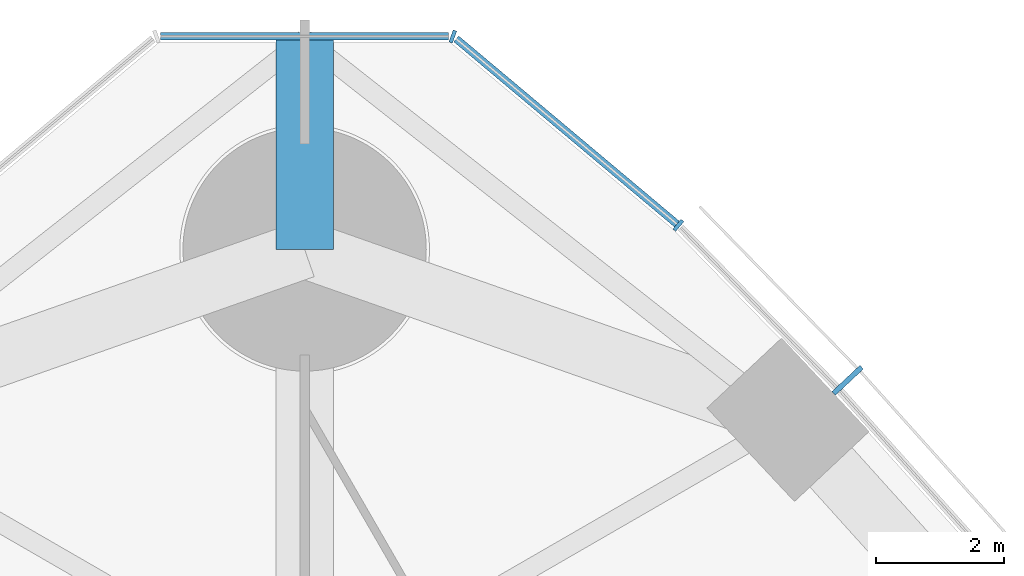
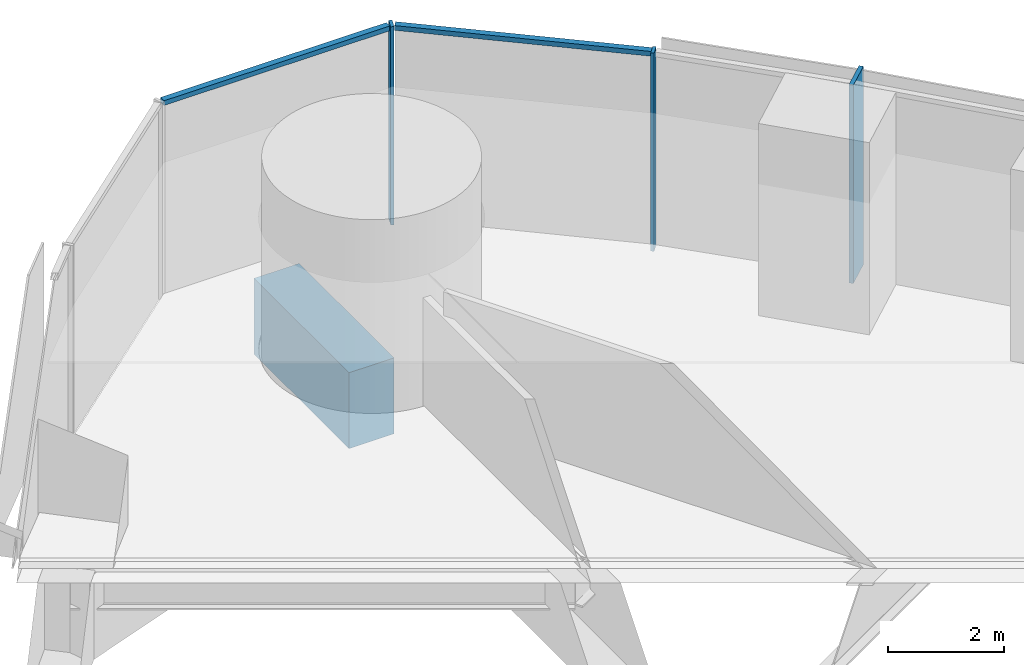
# One storey, part 8 of 18: 5 members, 1 beam, 2 elements without a shape of their own.
"""IFC4 building model written with IfcOpenShell, lengths in metres."""

import ifcopenshell
import ifcopenshell.guid

model = None  # the IFC model being written
_history = None  # IfcOwnerHistory: only IFC2X3 demands one
_inside = {}  # id of a spatial element -> (the spatial element, [elements in it])
_under = {}  # id of a project, library or spatial element -> (it, [spatial elements below it])
_declared = {}  # id of a project -> (the project, [libraries it declares])
_typed = {}  # id of a type object -> (the type object, [elements of that type])
_made_of = {}  # id of a material, layer set ... -> (it, [elements and type objects made of it])


def new_model(schema):
    """Start an empty IFC model of exactly this schema.

    Asked for "IFC4X3", IfcOpenShell would pick the latest addendum, in which some entities
    have other attributes; the version numbers below select the first issue.
    IFC2X3 requires an IfcOwnerHistory on every rooted entity: one is made here for all.
    """
    global model, _history
    if schema == "IFC4X3":
        model = ifcopenshell.file(schema_version=(4, 3, 0, 0))
    else:
        model = ifcopenshell.file(schema=schema)
    _inside.clear()
    _under.clear()
    _declared.clear()
    _typed.clear()
    _made_of.clear()
    _history = None
    if model.schema == "IFC2X3":
        org = make("IfcOrganization", Name="unknown")
        user = make(
            "IfcPersonAndOrganization",
            ThePerson=make("IfcPerson", FamilyName="unknown"),
            TheOrganization=org,
        )
        app = make(
            "IfcApplication",
            ApplicationDeveloper=org,
            Version="unknown",
            ApplicationFullName="unknown",
            ApplicationIdentifier="unknown",
        )
        _history = make(
            "IfcOwnerHistory",
            OwningUser=user,
            OwningApplication=app,
            ChangeAction="ADDED",
            CreationDate=0,
        )
    return model


def make(cls, **values):
    """One entity of the class cls with the attributes given. An attribute that is None is left unset."""
    return model.create_entity(
        cls, **{name: value for name, value in values.items() if value is not None}
    )


def rooted(cls, **values):
    """An entity with a GlobalId (a new one), such as an element, a storey or a relation."""
    return make(cls, GlobalId=ifcopenshell.guid.new(), OwnerHistory=_history, **values)


def si_unit(unit_type, name, prefix=None):
    """IfcSIUnit, for example si_unit("LENGTHUNIT", "METRE", prefix="MILLI")."""
    return make("IfcSIUnit", UnitType=unit_type, Prefix=prefix, Name=name)


def assignment(units):
    """IfcUnitAssignment: the units of a project."""
    return None if units is None else make("IfcUnitAssignment", Units=units)


def point(xyz):
    """IfcCartesianPoint."""
    return None if xyz is None else make("IfcCartesianPoint", Coordinates=xyz)


def direction(xyz):
    """IfcDirection."""
    return None if xyz is None else make("IfcDirection", DirectionRatios=xyz)


def frame(location, z_axis=None, x_axis=None):
    """IfcAxis2Placement3D, a coordinate frame: its origin and axes. An axis left out is left unset."""
    return make(
        "IfcAxis2Placement3D",
        Location=point(location),
        Axis=direction(z_axis),
        RefDirection=direction(x_axis),
    )


def frame_2d(location, x_axis=None):
    """IfcAxis2Placement2D, a coordinate frame in the plane: its origin and x axis."""
    return make(
        "IfcAxis2Placement2D", Location=point(location), RefDirection=direction(x_axis)
    )


def origin():
    """The frame at (0, 0, 0) with its axes left unset."""
    return frame((0.0, 0.0, 0.0))


def origin_2d():
    """The frame at (0, 0) in the plane with its x axis left unset."""
    return frame_2d((0.0, 0.0))


def place(relative_to, where):
    """IfcLocalPlacement: puts the frame where relative to a parent placement (None: the world)."""
    return make(
        "IfcLocalPlacement", PlacementRelTo=relative_to, RelativePlacement=where
    )


def context(
    kind, dimensions, precision=None, world=None, true_north=None, identifier=None
):
    """IfcGeometricRepresentationContext, for example the 3D "Model" context."""
    return make(
        "IfcGeometricRepresentationContext",
        ContextIdentifier=identifier,
        ContextType=kind,
        CoordinateSpaceDimension=dimensions,
        Precision=precision,
        WorldCoordinateSystem=world,
        TrueNorth=true_north,
    )


def subcontext(parent, identifier, kind, view, scale=None):
    """IfcGeometricRepresentationSubContext, for example "Body" below "Model"."""
    return make(
        "IfcGeometricRepresentationSubContext",
        ContextIdentifier=identifier,
        ContextType=kind,
        ParentContext=parent,
        TargetScale=scale,
        TargetView=view,
    )


def project(units=None, contexts=None):
    """IfcProject with its units and contexts."""
    return rooted(
        "IfcProject",
        Name="project",
        RepresentationContexts=contexts,
        UnitsInContext=assignment(units),
    )


def spatial(cls, under=None, at=None, **own):
    """A site, building, storey or space (cls), placed at a placement, below another one or the project."""
    s = rooted(cls, ObjectPlacement=at, **own)
    if under is not None:
        _under.setdefault(under.id(), (under, []))[1].append(s)
    return s


def profile(cls, at=None, kind="AREA", **sizes):
    """A parametric profile (cls). Its sizes go by their IFC names, for example OverallWidth=200.0."""
    return make(cls, ProfileType=kind, Position=at, **sizes)


def rectangle(**sizes):
    """IfcRectangleProfileDef."""
    return profile("IfcRectangleProfileDef", **sizes)


def extrude(swept, where, along, depth):
    """IfcExtrudedAreaSolid: the profile swept, set in the frame where, extruded along a direction by depth."""
    return make(
        "IfcExtrudedAreaSolid",
        SweptArea=swept,
        Position=where,
        ExtrudedDirection=direction(along),
        Depth=depth,
    )


def shape(context_of_items, identifier, shape_type, items):
    """IfcShapeRepresentation: the items that make up one representation, for example the "Body"."""
    return make(
        "IfcShapeRepresentation",
        ContextOfItems=context_of_items,
        RepresentationIdentifier=identifier,
        RepresentationType=shape_type,
        Items=items,
    )


def material(Name=None, Category=None):
    """IfcMaterial."""
    return make("IfcMaterial", Name=Name, Category=Category)


def material_profile(
    of_material, cross_section, Name=None, Category=None, Priority=None
):
    """IfcMaterialProfile: a cross section and its material."""
    return make(
        "IfcMaterialProfile",
        Name=Name,
        Material=of_material,
        Profile=cross_section,
        Priority=Priority,
        Category=Category,
    )


def profile_set(profiles, Name=None, composite=None):
    """IfcMaterialProfileSet."""
    return make(
        "IfcMaterialProfileSet",
        Name=Name,
        MaterialProfiles=profiles,
        CompositeProfile=composite,
    )


def made_of(thing, what):
    """Note that an element or type object is made of a material, layer set ...; save() writes the relation."""
    if what is not None:
        _made_of.setdefault(what.id(), (what, []))[1].append(thing)
    return thing


def type_object(cls, material=None, **own):
    """A type object (cls), such as IfcWallType, which elements share."""
    return made_of(rooted(cls, **own), material)


def element(
    cls,
    number,
    at=None,
    inside=None,
    cuts=None,
    type_object=None,
    material=None,
    context=None,
    identifier="Body",
    shape_type=None,
    held_by="IfcProductDefinitionShape",
    body=None,
    shapes=None,
    **own,
):
    """One element of the class cls, such as IfcWall. Its Tag is "e" and its number.

    at: its placement. inside: the storey or other place that contains it. cuts: it is an
    opening in that element (IfcRelVoidsElement). A single representation is given by context,
    identifier, shape_type and body (its items); several are given by shapes. held_by: the class
    of the entity that holds the representations. save() writes the other relations.
    """
    e = rooted(cls, Tag="e%d" % number, ObjectPlacement=at, **own)
    if body is not None:
        shapes = [shape(context, identifier, shape_type, body)]
    if shapes is not None:
        e.Representation = make(held_by, Representations=shapes)
    if inside is not None:
        _inside.setdefault(inside.id(), (inside, []))[1].append(e)
    if cuts is not None:
        rooted(
            "IfcRelVoidsElement", RelatingBuildingElement=cuts, RelatedOpeningElement=e
        )
    if type_object is not None:
        _typed.setdefault(type_object.id(), (type_object, []))[1].append(e)
    return made_of(e, material)


def aggregate(whole, parts):
    """IfcRelAggregates: a whole, such as a stair, and the parts it consists of."""
    return rooted("IfcRelAggregates", RelatingObject=whole, RelatedObjects=parts)


def save(model, path):
    """Write the relations noted so far, then the file.

    IfcRelAggregates (storeys below a building ...), IfcRelContainedInSpatialStructure (elements
    in a storey), IfcRelDefinesByType, IfcRelAssociatesMaterial and IfcRelDeclares: one each for
    every whole, place, type object, material and project.
    """
    for whole, parts in _under.values():
        aggregate(whole, parts)
    for where, things in _inside.values():
        rooted(
            "IfcRelContainedInSpatialStructure",
            RelatedElements=things,
            RelatingStructure=where,
        )
    for kind, things in _typed.values():
        rooted("IfcRelDefinesByType", RelatedObjects=things, RelatingType=kind)
    for what, things in _made_of.values():
        rooted("IfcRelAssociatesMaterial", RelatedObjects=things, RelatingMaterial=what)
    for by, libraries in _declared.values():
        rooted("IfcRelDeclares", RelatingContext=by, RelatedDefinitions=libraries)
    model.write(path)


model = new_model("IFC4")

# Units and contexts
model_context = context("Model", 3, precision=1e-05, world=origin(), true_north=direction((0.0, 1.0)))
body_context = subcontext(model_context, "Body", "Model", "MODEL_VIEW")
ifc_project = project(units=[si_unit("LENGTHUNIT", "METRE"), si_unit("AREAUNIT", "SQUARE_METRE"), si_unit("VOLUMEUNIT", "CUBIC_METRE"), si_unit("PLANEANGLEUNIT", "RADIAN"), si_unit("MASSUNIT", "GRAM", prefix="KILO")], contexts=[model_context])

# Site, building, storey
site_placement = place(None, origin())
site = spatial("IfcSite", under=ifc_project, at=site_placement, CompositionType="ELEMENT")
building_placement = place(site_placement, origin())
building = spatial("IfcBuilding", under=site, at=building_placement, Name="Trefoil Bronze Tower", CompositionType="ELEMENT")
storey_placement = place(building_placement, frame((0.0, 0.0, 198.10009765625)))
storey = spatial("IfcBuildingStorey", under=building, at=storey_placement, Name="L45", CompositionType="ELEMENT", Elevation=198.10009765625)

# Curtain wall, member
ifc_material_1 = material(Name="Tinted solar-control glass", Category="glass")
curtain_wall_type_1 = type_object("IfcCurtainWallType", Name="Bronze office curtain wall", PredefinedType="USERDEFINED", material=ifc_material_1)
curtain_wall_1_placement = place(storey_placement, origin())
curtain_wall_1 = element("IfcCurtainWall", 1, at=curtain_wall_1_placement, inside=storey, type_object=curtain_wall_type_1, Name="CW-A L45 F2", ObjectType="CURTAIN WALL", PredefinedType="USERDEFINED")
ifc_material_2 = material(Name="Bronze-finish aluminium", Category="aluminium")
ifc_material_profile_1 = material_profile(ifc_material_2, rectangle(XDim=0.60009765625, YDim=0.080078125, at=origin_2d()), Name="CW-A mullion")
ifc_profile_set_1 = profile_set([ifc_material_profile_1], Name="Bronze-finish aluminium")
member_type_1 = type_object("IfcMemberType", Name="Bronze office curtain wall mullion", PredefinedType="MULLION", material=ifc_profile_set_1)
member_1_placement = place(storey_placement, frame((8.482177734375, 30.95654296875, 0.0), z_axis=(0.0, 0.0, 1.0), x_axis=(-0.729859580661, -0.683597098091, 0.0)))
member_1 = element("IfcMember", 2, at=member_1_placement, type_object=member_type_1, Name="CW-A L45 F2 mullion 12", PredefinedType="MULLION", context=body_context, shape_type="SweptSolid", body=[
    extrude(rectangle(XDim=0.60009765625, YDim=0.080078125, at=origin_2d()), origin(), (0.0, 0.0, 1.0), 4.179931640625),
])
aggregate(curtain_wall_1, [member_1])

# Curtain wall, members
ifc_material_3 = material(Name="Tinted solar-control glass", Category="glass")
curtain_wall_type_2 = type_object("IfcCurtainWallType", Name="Bronze rounded corner curtain wall", PredefinedType="USERDEFINED", material=ifc_material_3)
curtain_wall_2_placement = place(storey_placement, origin())
curtain_wall_2 = element("IfcCurtainWall", 3, at=curtain_wall_2_placement, inside=storey, type_object=curtain_wall_type_2, Name="CW-B L45 K2", ObjectType="CURTAIN WALL", PredefinedType="USERDEFINED")
ifc_material_4 = material(Name="Bronze-finish aluminium", Category="aluminium")
ifc_material_profile_2 = material_profile(ifc_material_4, rectangle(XDim=0.199951171875, YDim=0.06005859375, at=origin_2d()), Name="CW-B mullion")
ifc_profile_set_2 = profile_set([ifc_material_profile_2], Name="Bronze-finish aluminium")
member_type_2 = type_object("IfcMemberType", Name="Bronze rounded corner curtain wall mullion", PredefinedType="MULLION", material=ifc_profile_set_2)
member_2_placement = place(storey_placement, frame((5.837890625, 33.3779296875, 0.0), z_axis=(0.0, 0.0, 1.0), x_axis=(-0.642787609687, -0.766044443119, 0.0)))
member_2 = element("IfcMember", 4, at=member_2_placement, type_object=member_type_2, Name="CW-B L45 K2 mullion 1", PredefinedType="MULLION", context=body_context, shape_type="SweptSolid", body=[
    extrude(rectangle(XDim=0.199951171875, YDim=0.06005859375, at=origin_2d()), origin(), (0.0, 0.0, 1.0), 4.179931640625),
])
member_3_placement = place(storey_placement, frame((2.314453125, 36.326416015625, 0.0), z_axis=(0.0, 0.0, 1.0), x_axis=(-0.342020143326, -0.939692620786, 0.0)))
member_3 = element("IfcMember", 5, at=member_3_placement, type_object=member_type_2, Name="CW-B L45 K2 mullion 2", PredefinedType="MULLION", context=body_context, shape_type="SweptSolid", body=[
    extrude(rectangle(XDim=0.199951171875, YDim=0.06005859375, at=origin_2d()), origin(), (0.0, 0.0, 1.0), 4.179931640625),
])
ifc_material_5 = material(Name="Bronze-finish aluminium", Category="aluminium")
ifc_material_profile_3 = material_profile(ifc_material_5, rectangle(XDim=0.1201171875, YDim=0.10009765625, at=origin_2d()), Name="CW-B transom")
ifc_profile_set_3 = profile_set([ifc_material_profile_3], Name="Bronze-finish aluminium")
member_type_3 = type_object("IfcMemberType", Name="Bronze rounded corner curtain wall transom", PredefinedType="USERDEFINED", material=ifc_profile_set_3)
member_4_placement = place(storey_placement, frame((5.814697265625, 33.397216796875, 4.1298828125), z_axis=(-0.766046761698, 0.642784846501, 0.0), x_axis=(-0.642784846501, -0.766046761698, 0.0)))
member_4 = element("IfcMember", 6, at=member_4_placement, type_object=member_type_3, Name="CW-B L45 K2 transom 1", ObjectType="TRANSOM", PredefinedType="USERDEFINED", context=body_context, shape_type="SweptSolid", body=[
    extrude(rectangle(XDim=0.1201171875, YDim=0.10009765625, at=origin_2d()), origin(), (0.0, 0.0, 1.0), 4.5),
])
member_5_placement = place(storey_placement, frame((2.250244140625, 36.33251953125, 4.1298828125), z_axis=(-1.0, 0.0, 0.0), x_axis=(0.0, -1.0, 0.0)))
member_5 = element("IfcMember", 7, at=member_5_placement, type_object=member_type_3, Name="CW-B L45 K2 transom 2", ObjectType="TRANSOM", PredefinedType="USERDEFINED", context=body_context, shape_type="SweptSolid", body=[
    extrude(rectangle(XDim=0.1201171875, YDim=0.10009765625, at=origin_2d()), origin(), (0.0, 0.0, 1.0), 4.50048828125),
])
aggregate(curtain_wall_2, [member_2, member_3, member_4, member_5])

# Beam
ifc_material_6 = material(Name="Concrete B80", Category="concrete")
ifc_material_profile_4 = material_profile(ifc_material_6, rectangle(XDim=0.89990234375, YDim=1.60009765625, at=origin_2d()), Name="RC 900x1600")
ifc_profile_set_4 = profile_set([ifc_material_profile_4], Name="Concrete B80")
beam_type = type_object("IfcBeamType", Name="Corner cantilever RC 900x1600", PredefinedType="BEAM", material=ifc_profile_set_4)
beam_placement = place(storey_placement, frame((0.0, 33.0, -1.0), z_axis=(0.0, 1.0, 0.0), x_axis=(-1.0, 0.0, 0.0)))
element("IfcBeam", 8, at=beam_placement, inside=storey, type_object=beam_type, Name="Corner cantilever K2 L45", PredefinedType="BEAM", context=body_context, shape_type="SweptSolid", body=[
    extrude(rectangle(XDim=0.89990234375, YDim=1.60009765625, at=origin_2d()), origin(), (0.0, 0.0, 1.0), 3.28466796875),
])

save(model, "model.ifc")
